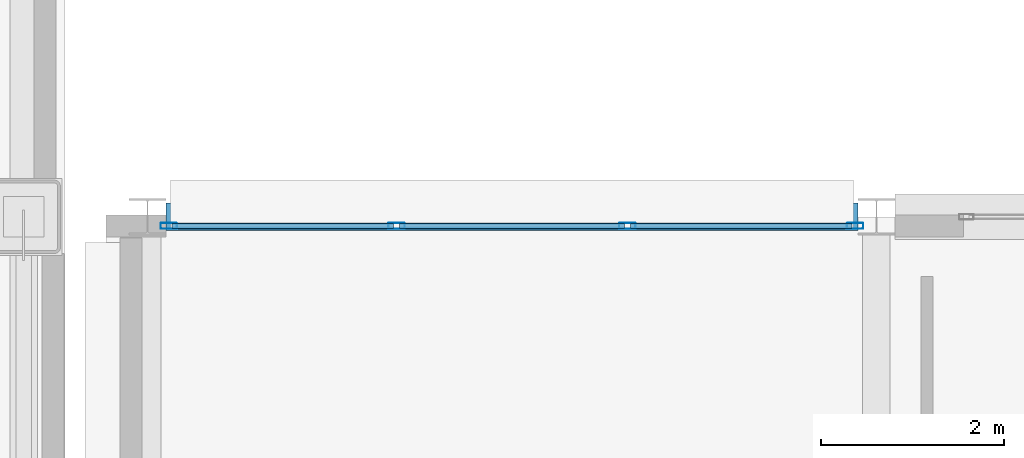
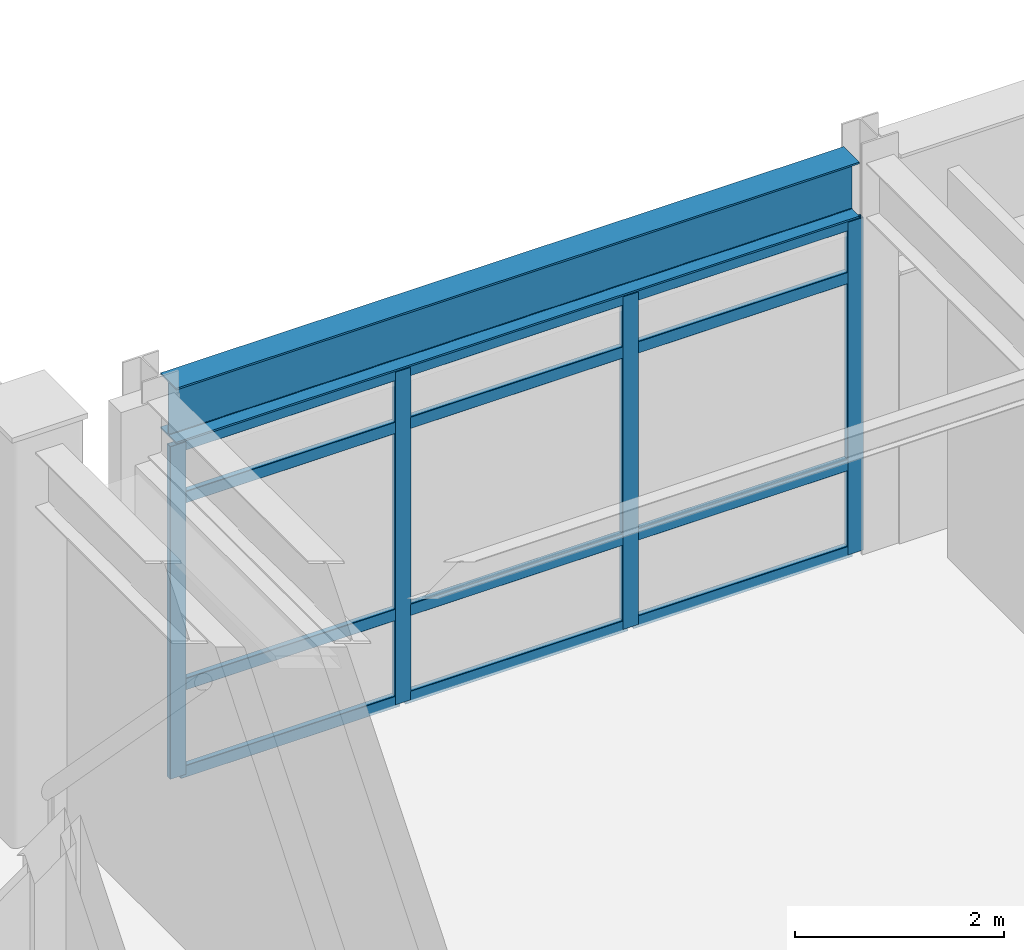
# One storey, part 18 of 93: 16 members, 1 beam, 1 element without a shape of its own.
"""IFC4 building model written with IfcOpenShell, lengths in metres."""

import ifcopenshell
import ifcopenshell.guid

model = None  # the IFC model being written
_history = None  # IfcOwnerHistory: only IFC2X3 demands one
_inside = {}  # id of a spatial element -> (the spatial element, [elements in it])
_under = {}  # id of a project, library or spatial element -> (it, [spatial elements below it])
_declared = {}  # id of a project -> (the project, [libraries it declares])
_typed = {}  # id of a type object -> (the type object, [elements of that type])
_made_of = {}  # id of a material, layer set ... -> (it, [elements and type objects made of it])


def new_model(schema):
    """Start an empty IFC model of exactly this schema.

    Asked for "IFC4X3", IfcOpenShell would pick the latest addendum, in which some entities
    have other attributes; the version numbers below select the first issue.
    IFC2X3 requires an IfcOwnerHistory on every rooted entity: one is made here for all.
    """
    global model, _history
    if schema == "IFC4X3":
        model = ifcopenshell.file(schema_version=(4, 3, 0, 0))
    else:
        model = ifcopenshell.file(schema=schema)
    _inside.clear()
    _under.clear()
    _declared.clear()
    _typed.clear()
    _made_of.clear()
    _history = None
    if model.schema == "IFC2X3":
        org = make("IfcOrganization", Name="unknown")
        user = make(
            "IfcPersonAndOrganization",
            ThePerson=make("IfcPerson", FamilyName="unknown"),
            TheOrganization=org,
        )
        app = make(
            "IfcApplication",
            ApplicationDeveloper=org,
            Version="unknown",
            ApplicationFullName="unknown",
            ApplicationIdentifier="unknown",
        )
        _history = make(
            "IfcOwnerHistory",
            OwningUser=user,
            OwningApplication=app,
            ChangeAction="ADDED",
            CreationDate=0,
        )
    return model


def make(cls, **values):
    """One entity of the class cls with the attributes given. An attribute that is None is left unset."""
    return model.create_entity(
        cls, **{name: value for name, value in values.items() if value is not None}
    )


def rooted(cls, **values):
    """An entity with a GlobalId (a new one), such as an element, a storey or a relation."""
    return make(cls, GlobalId=ifcopenshell.guid.new(), OwnerHistory=_history, **values)


def si_unit(unit_type, name, prefix=None):
    """IfcSIUnit, for example si_unit("LENGTHUNIT", "METRE", prefix="MILLI")."""
    return make("IfcSIUnit", UnitType=unit_type, Prefix=prefix, Name=name)


def assignment(units):
    """IfcUnitAssignment: the units of a project."""
    return None if units is None else make("IfcUnitAssignment", Units=units)


def point(xyz):
    """IfcCartesianPoint."""
    return None if xyz is None else make("IfcCartesianPoint", Coordinates=xyz)


def direction(xyz):
    """IfcDirection."""
    return None if xyz is None else make("IfcDirection", DirectionRatios=xyz)


def frame(location, z_axis=None, x_axis=None):
    """IfcAxis2Placement3D, a coordinate frame: its origin and axes. An axis left out is left unset."""
    return make(
        "IfcAxis2Placement3D",
        Location=point(location),
        Axis=direction(z_axis),
        RefDirection=direction(x_axis),
    )


def frame_2d(location, x_axis=None):
    """IfcAxis2Placement2D, a coordinate frame in the plane: its origin and x axis."""
    return make(
        "IfcAxis2Placement2D", Location=point(location), RefDirection=direction(x_axis)
    )


def origin():
    """The frame at (0, 0, 0) with its axes left unset."""
    return frame((0.0, 0.0, 0.0))


def origin_2d():
    """The frame at (0, 0) in the plane with its x axis left unset."""
    return frame_2d((0.0, 0.0))


def place(relative_to, where):
    """IfcLocalPlacement: puts the frame where relative to a parent placement (None: the world)."""
    return make(
        "IfcLocalPlacement", PlacementRelTo=relative_to, RelativePlacement=where
    )


def context(
    kind, dimensions, precision=None, world=None, true_north=None, identifier=None
):
    """IfcGeometricRepresentationContext, for example the 3D "Model" context."""
    return make(
        "IfcGeometricRepresentationContext",
        ContextIdentifier=identifier,
        ContextType=kind,
        CoordinateSpaceDimension=dimensions,
        Precision=precision,
        WorldCoordinateSystem=world,
        TrueNorth=true_north,
    )


def subcontext(parent, identifier, kind, view, scale=None):
    """IfcGeometricRepresentationSubContext, for example "Body" below "Model"."""
    return make(
        "IfcGeometricRepresentationSubContext",
        ContextIdentifier=identifier,
        ContextType=kind,
        ParentContext=parent,
        TargetScale=scale,
        TargetView=view,
    )


def project(units=None, contexts=None):
    """IfcProject with its units and contexts."""
    return rooted(
        "IfcProject",
        Name="project",
        RepresentationContexts=contexts,
        UnitsInContext=assignment(units),
    )


def spatial(cls, under=None, at=None, **own):
    """A site, building, storey or space (cls), placed at a placement, below another one or the project."""
    s = rooted(cls, ObjectPlacement=at, **own)
    if under is not None:
        _under.setdefault(under.id(), (under, []))[1].append(s)
    return s


def profile(cls, at=None, kind="AREA", **sizes):
    """A parametric profile (cls). Its sizes go by their IFC names, for example OverallWidth=200.0."""
    return make(cls, ProfileType=kind, Position=at, **sizes)


def hollow_rectangle(**sizes):
    """IfcRectangleHollowProfileDef."""
    return profile("IfcRectangleHollowProfileDef", **sizes)


def i_section(**sizes):
    """IfcIShapeProfileDef."""
    return profile("IfcIShapeProfileDef", **sizes)


def extrude(swept, where, along, depth):
    """IfcExtrudedAreaSolid: the profile swept, set in the frame where, extruded along a direction by depth."""
    return make(
        "IfcExtrudedAreaSolid",
        SweptArea=swept,
        Position=where,
        ExtrudedDirection=direction(along),
        Depth=depth,
    )


def shape(context_of_items, identifier, shape_type, items):
    """IfcShapeRepresentation: the items that make up one representation, for example the "Body"."""
    return make(
        "IfcShapeRepresentation",
        ContextOfItems=context_of_items,
        RepresentationIdentifier=identifier,
        RepresentationType=shape_type,
        Items=items,
    )


def material(Name=None, Category=None):
    """IfcMaterial."""
    return make("IfcMaterial", Name=Name, Category=Category)


def layer(
    of_material, thickness, ventilated=None, Name=None, Category=None, Priority=None
):
    """IfcMaterialLayer: one layer of a wall or slab, of a material (None: an air gap)."""
    return make(
        "IfcMaterialLayer",
        Material=of_material,
        LayerThickness=thickness,
        IsVentilated=ventilated,
        Name=Name,
        Category=Category,
        Priority=Priority,
    )


def layer_set(layers, Name=None):
    """IfcMaterialLayerSet."""
    return make("IfcMaterialLayerSet", MaterialLayers=layers, LayerSetName=Name)


def material_profile(
    of_material, cross_section, Name=None, Category=None, Priority=None
):
    """IfcMaterialProfile: a cross section and its material."""
    return make(
        "IfcMaterialProfile",
        Name=Name,
        Material=of_material,
        Profile=cross_section,
        Priority=Priority,
        Category=Category,
    )


def profile_set(profiles, Name=None, composite=None):
    """IfcMaterialProfileSet."""
    return make(
        "IfcMaterialProfileSet",
        Name=Name,
        MaterialProfiles=profiles,
        CompositeProfile=composite,
    )


def made_of(thing, what):
    """Note that an element or type object is made of a material, layer set ...; save() writes the relation."""
    if what is not None:
        _made_of.setdefault(what.id(), (what, []))[1].append(thing)
    return thing


def type_object(cls, material=None, **own):
    """A type object (cls), such as IfcWallType, which elements share."""
    return made_of(rooted(cls, **own), material)


def element(
    cls,
    number,
    at=None,
    inside=None,
    cuts=None,
    type_object=None,
    material=None,
    context=None,
    identifier="Body",
    shape_type=None,
    held_by="IfcProductDefinitionShape",
    body=None,
    shapes=None,
    **own,
):
    """One element of the class cls, such as IfcWall. Its Tag is "e" and its number.

    at: its placement. inside: the storey or other place that contains it. cuts: it is an
    opening in that element (IfcRelVoidsElement). A single representation is given by context,
    identifier, shape_type and body (its items); several are given by shapes. held_by: the class
    of the entity that holds the representations. save() writes the other relations.
    """
    e = rooted(cls, Tag="e%d" % number, ObjectPlacement=at, **own)
    if body is not None:
        shapes = [shape(context, identifier, shape_type, body)]
    if shapes is not None:
        e.Representation = make(held_by, Representations=shapes)
    if inside is not None:
        _inside.setdefault(inside.id(), (inside, []))[1].append(e)
    if cuts is not None:
        rooted(
            "IfcRelVoidsElement", RelatingBuildingElement=cuts, RelatedOpeningElement=e
        )
    if type_object is not None:
        _typed.setdefault(type_object.id(), (type_object, []))[1].append(e)
    return made_of(e, material)


def aggregate(whole, parts):
    """IfcRelAggregates: a whole, such as a stair, and the parts it consists of."""
    return rooted("IfcRelAggregates", RelatingObject=whole, RelatedObjects=parts)


def save(model, path):
    """Write the relations noted so far, then the file.

    IfcRelAggregates (storeys below a building ...), IfcRelContainedInSpatialStructure (elements
    in a storey), IfcRelDefinesByType, IfcRelAssociatesMaterial and IfcRelDeclares: one each for
    every whole, place, type object, material and project.
    """
    for whole, parts in _under.values():
        aggregate(whole, parts)
    for where, things in _inside.values():
        rooted(
            "IfcRelContainedInSpatialStructure",
            RelatedElements=things,
            RelatingStructure=where,
        )
    for kind, things in _typed.values():
        rooted("IfcRelDefinesByType", RelatedObjects=things, RelatingType=kind)
    for what, things in _made_of.values():
        rooted("IfcRelAssociatesMaterial", RelatedObjects=things, RelatingMaterial=what)
    for by, libraries in _declared.values():
        rooted("IfcRelDeclares", RelatingContext=by, RelatedDefinitions=libraries)
    model.write(path)


model = new_model("IFC4")

# Units and contexts
model_context = context("Model", 3, precision=1e-05, world=origin(), true_north=direction((0.0, 1.0)))
body_context = subcontext(model_context, "Body", "Model", "MODEL_VIEW")
ifc_project = project(units=[si_unit("LENGTHUNIT", "METRE"), si_unit("AREAUNIT", "SQUARE_METRE"), si_unit("VOLUMEUNIT", "CUBIC_METRE"), si_unit("PLANEANGLEUNIT", "RADIAN"), si_unit("MASSUNIT", "GRAM", prefix="KILO")], contexts=[model_context])

# Site, building, storey
site_placement = place(None, origin())
site = spatial("IfcSite", under=ifc_project, at=site_placement, CompositionType="ELEMENT")
building_placement = place(site_placement, origin())
building = spatial("IfcBuilding", under=site, at=building_placement, Name="Kazehara Bluff Congress Hotel", CompositionType="ELEMENT")
storey_placement = place(building_placement, frame((0.0, 0.0, 15.0)))
storey = spatial("IfcBuildingStorey", under=building, at=storey_placement, Name="L03", CompositionType="ELEMENT", Elevation=15.0)

# Curtain wall, members
ifc_material_1 = material(Name="Anodised aluminium", Category="aluminium")
ifc_layer = layer(ifc_material_1, 0.159912109375)
ifc_layer_set = layer_set([ifc_layer], Name="Anodised aluminium")
curtain_wall_type = type_object("IfcCurtainWallType", Name="TP-CW-21", PredefinedType="NOTDEFINED", material=ifc_layer_set)
curtain_wall_placement = place(storey_placement, origin())
curtain_wall = element("IfcCurtainWall", 1, at=curtain_wall_placement, inside=storey, type_object=curtain_wall_type, Name="L03 curtain wall CW-21 CW-ENC-V4-L03-6368-5635", PredefinedType="NOTDEFINED")
ifc_material_2 = material(Name="Anodised aluminium", Category="aluminium")
ifc_material_profile_1 = material_profile(ifc_material_2, hollow_rectangle(XDim=0.06494140625, YDim=0.179931640625, WallThickness=0.00390625, InnerFilletRadius=0.00390625, OuterFilletRadius=0.008056640625, at=origin_2d()))
ifc_profile_set_1 = profile_set([ifc_material_profile_1], Name="Anodised aluminium")
member_type_1 = type_object("IfcMemberType", Name="TP-CWM-02", PredefinedType="MULLION", material=ifc_profile_set_1)
member_1_placement = place(storey_placement, frame((59.9326171875, 56.35009765625, 0.0), z_axis=(0.0, 0.0, 1.0), x_axis=(0.0, 1.0, 0.0)))
member_1 = element("IfcMember", 2, at=member_1_placement, type_object=member_type_1, Name="CW-21 mullion 1", PredefinedType="MULLION", context=body_context, shape_type="SweptSolid", body=[
    extrude(hollow_rectangle(XDim=0.06494140625, YDim=0.179931640625, WallThickness=0.00390625, InnerFilletRadius=0.00390625, OuterFilletRadius=0.008056640625, at=origin_2d()), origin(), (0.0, 0.0, 1.0), 3.885009765625),
])
member_2_placement = place(storey_placement, frame((62.416748046875, 56.35009765625, 0.0), z_axis=(0.0, 0.0, 1.0), x_axis=(0.0, 1.0, 0.0)))
member_2 = element("IfcMember", 3, at=member_2_placement, type_object=member_type_1, Name="CW-21 mullion 2", PredefinedType="MULLION", context=body_context, shape_type="SweptSolid", body=[
    extrude(hollow_rectangle(XDim=0.06494140625, YDim=0.179931640625, WallThickness=0.00390625, InnerFilletRadius=0.00390625, OuterFilletRadius=0.008056640625, at=origin_2d()), origin(), (0.0, 0.0, 1.0), 3.885009765625),
])
member_3_placement = place(storey_placement, frame((64.933349609375, 56.35009765625, 0.0), z_axis=(0.0, 0.0, 1.0), x_axis=(0.0, 1.0, 0.0)))
member_3 = element("IfcMember", 4, at=member_3_placement, type_object=member_type_1, Name="CW-21 mullion 3", PredefinedType="MULLION", context=body_context, shape_type="SweptSolid", body=[
    extrude(hollow_rectangle(XDim=0.06494140625, YDim=0.179931640625, WallThickness=0.00390625, InnerFilletRadius=0.00390625, OuterFilletRadius=0.008056640625, at=origin_2d()), origin(), (0.0, 0.0, 1.0), 3.885009765625),
])
member_4_placement = place(storey_placement, frame((67.41748046875, 56.35009765625, 0.0), z_axis=(0.0, 0.0, 1.0), x_axis=(0.0, 1.0, 0.0)))
member_4 = element("IfcMember", 5, at=member_4_placement, type_object=member_type_1, Name="CW-21 mullion 4", PredefinedType="MULLION", context=body_context, shape_type="SweptSolid", body=[
    extrude(hollow_rectangle(XDim=0.06494140625, YDim=0.179931640625, WallThickness=0.00390625, InnerFilletRadius=0.00390625, OuterFilletRadius=0.008056640625, at=origin_2d()), origin(), (0.0, 0.0, 1.0), 3.885009765625),
])
ifc_material_3 = material(Name="Anodised aluminium", Category="aluminium")
ifc_material_profile_2 = material_profile(ifc_material_3, hollow_rectangle(XDim=0.06494140625, YDim=0.139892578125, WallThickness=0.00390625, InnerFilletRadius=0.00390625, OuterFilletRadius=0.008056640625, at=origin_2d()))
ifc_profile_set_2 = profile_set([ifc_material_profile_2], Name="Anodised aluminium")
member_type_2 = type_object("IfcMemberType", Name="TP-CWT-02", PredefinedType="USERDEFINED", material=ifc_profile_set_2)
member_5_placement = place(storey_placement, frame((59.965087890625, 56.35009765625, 0.032470703125), z_axis=(1.0, 0.0, 0.0), x_axis=(0.0, 1.0, 0.0)))
member_5 = element("IfcMember", 6, at=member_5_placement, type_object=member_type_2, Name="CW-21 transom 1.1", ObjectType="TRANSOM", PredefinedType="USERDEFINED", context=body_context, shape_type="SweptSolid", body=[
    extrude(hollow_rectangle(XDim=0.06494140625, YDim=0.139892578125, WallThickness=0.00390625, InnerFilletRadius=0.00390625, OuterFilletRadius=0.008056640625, at=origin_2d()), origin(), (0.0, 0.0, 1.0), 2.419189453125),
])
member_6_placement = place(storey_placement, frame((59.965087890625, 56.35009765625, 1.050048828125), z_axis=(1.0, 0.0, 0.0), x_axis=(0.0, 1.0, 0.0)))
member_6 = element("IfcMember", 7, at=member_6_placement, type_object=member_type_2, Name="CW-21 transom 1.2", ObjectType="TRANSOM", PredefinedType="USERDEFINED", context=body_context, shape_type="SweptSolid", body=[
    extrude(hollow_rectangle(XDim=0.06494140625, YDim=0.139892578125, WallThickness=0.00390625, InnerFilletRadius=0.00390625, OuterFilletRadius=0.008056640625, at=origin_2d()), origin(), (0.0, 0.0, 1.0), 2.419189453125),
])
member_7_placement = place(storey_placement, frame((59.965087890625, 56.35009765625, 3.235107421875), z_axis=(1.0, 0.0, 0.0), x_axis=(0.0, 1.0, 0.0)))
member_7 = element("IfcMember", 8, at=member_7_placement, type_object=member_type_2, Name="CW-21 transom 1.3", ObjectType="TRANSOM", PredefinedType="USERDEFINED", context=body_context, shape_type="SweptSolid", body=[
    extrude(hollow_rectangle(XDim=0.06494140625, YDim=0.139892578125, WallThickness=0.00390625, InnerFilletRadius=0.00390625, OuterFilletRadius=0.008056640625, at=origin_2d()), origin(), (0.0, 0.0, 1.0), 2.419189453125),
])
member_8_placement = place(storey_placement, frame((59.965087890625, 56.35009765625, 3.8525390625), z_axis=(1.0, 0.0, 0.0), x_axis=(0.0, 1.0, 0.0)))
member_8 = element("IfcMember", 9, at=member_8_placement, type_object=member_type_2, Name="CW-21 transom 1.4", ObjectType="TRANSOM", PredefinedType="USERDEFINED", context=body_context, shape_type="SweptSolid", body=[
    extrude(hollow_rectangle(XDim=0.06494140625, YDim=0.139892578125, WallThickness=0.00390625, InnerFilletRadius=0.00390625, OuterFilletRadius=0.008056640625, at=origin_2d()), origin(), (0.0, 0.0, 1.0), 2.419189453125),
])
member_9_placement = place(storey_placement, frame((62.44921875, 56.35009765625, 0.032470703125), z_axis=(1.0, 0.0, 0.0), x_axis=(0.0, 1.0, 0.0)))
member_9 = element("IfcMember", 10, at=member_9_placement, type_object=member_type_2, Name="CW-21 transom 2.1", ObjectType="TRANSOM", PredefinedType="USERDEFINED", context=body_context, shape_type="SweptSolid", body=[
    extrude(hollow_rectangle(XDim=0.06494140625, YDim=0.139892578125, WallThickness=0.00390625, InnerFilletRadius=0.00390625, OuterFilletRadius=0.008056640625, at=origin_2d()), origin(), (0.0, 0.0, 1.0), 2.45166015625),
])
member_10_placement = place(storey_placement, frame((62.44921875, 56.35009765625, 1.050048828125), z_axis=(1.0, 0.0, 0.0), x_axis=(0.0, 1.0, 0.0)))
member_10 = element("IfcMember", 11, at=member_10_placement, type_object=member_type_2, Name="CW-21 transom 2.2", ObjectType="TRANSOM", PredefinedType="USERDEFINED", context=body_context, shape_type="SweptSolid", body=[
    extrude(hollow_rectangle(XDim=0.06494140625, YDim=0.139892578125, WallThickness=0.00390625, InnerFilletRadius=0.00390625, OuterFilletRadius=0.008056640625, at=origin_2d()), origin(), (0.0, 0.0, 1.0), 2.45166015625),
])
member_11_placement = place(storey_placement, frame((62.44921875, 56.35009765625, 3.235107421875), z_axis=(1.0, 0.0, 0.0), x_axis=(0.0, 1.0, 0.0)))
member_11 = element("IfcMember", 12, at=member_11_placement, type_object=member_type_2, Name="CW-21 transom 2.3", ObjectType="TRANSOM", PredefinedType="USERDEFINED", context=body_context, shape_type="SweptSolid", body=[
    extrude(hollow_rectangle(XDim=0.06494140625, YDim=0.139892578125, WallThickness=0.00390625, InnerFilletRadius=0.00390625, OuterFilletRadius=0.008056640625, at=origin_2d()), origin(), (0.0, 0.0, 1.0), 2.45166015625),
])
member_12_placement = place(storey_placement, frame((62.44921875, 56.35009765625, 3.8525390625), z_axis=(1.0, 0.0, 0.0), x_axis=(0.0, 1.0, 0.0)))
member_12 = element("IfcMember", 13, at=member_12_placement, type_object=member_type_2, Name="CW-21 transom 2.4", ObjectType="TRANSOM", PredefinedType="USERDEFINED", context=body_context, shape_type="SweptSolid", body=[
    extrude(hollow_rectangle(XDim=0.06494140625, YDim=0.139892578125, WallThickness=0.00390625, InnerFilletRadius=0.00390625, OuterFilletRadius=0.008056640625, at=origin_2d()), origin(), (0.0, 0.0, 1.0), 2.45166015625),
])
member_13_placement = place(storey_placement, frame((64.9658203125, 56.35009765625, 0.032470703125), z_axis=(1.0, 0.0, 0.0), x_axis=(0.0, 1.0, 0.0)))
member_13 = element("IfcMember", 14, at=member_13_placement, type_object=member_type_2, Name="CW-21 transom 3.1", ObjectType="TRANSOM", PredefinedType="USERDEFINED", context=body_context, shape_type="SweptSolid", body=[
    extrude(hollow_rectangle(XDim=0.06494140625, YDim=0.139892578125, WallThickness=0.00390625, InnerFilletRadius=0.00390625, OuterFilletRadius=0.008056640625, at=origin_2d()), origin(), (0.0, 0.0, 1.0), 2.419189453125),
])
member_14_placement = place(storey_placement, frame((64.9658203125, 56.35009765625, 1.050048828125), z_axis=(1.0, 0.0, 0.0), x_axis=(0.0, 1.0, 0.0)))
member_14 = element("IfcMember", 15, at=member_14_placement, type_object=member_type_2, Name="CW-21 transom 3.2", ObjectType="TRANSOM", PredefinedType="USERDEFINED", context=body_context, shape_type="SweptSolid", body=[
    extrude(hollow_rectangle(XDim=0.06494140625, YDim=0.139892578125, WallThickness=0.00390625, InnerFilletRadius=0.00390625, OuterFilletRadius=0.008056640625, at=origin_2d()), origin(), (0.0, 0.0, 1.0), 2.419189453125),
])
member_15_placement = place(storey_placement, frame((64.9658203125, 56.35009765625, 3.235107421875), z_axis=(1.0, 0.0, 0.0), x_axis=(0.0, 1.0, 0.0)))
member_15 = element("IfcMember", 16, at=member_15_placement, type_object=member_type_2, Name="CW-21 transom 3.3", ObjectType="TRANSOM", PredefinedType="USERDEFINED", context=body_context, shape_type="SweptSolid", body=[
    extrude(hollow_rectangle(XDim=0.06494140625, YDim=0.139892578125, WallThickness=0.00390625, InnerFilletRadius=0.00390625, OuterFilletRadius=0.008056640625, at=origin_2d()), origin(), (0.0, 0.0, 1.0), 2.419189453125),
])
member_16_placement = place(storey_placement, frame((64.9658203125, 56.35009765625, 3.8525390625), z_axis=(1.0, 0.0, 0.0), x_axis=(0.0, 1.0, 0.0)))
member_16 = element("IfcMember", 17, at=member_16_placement, type_object=member_type_2, Name="CW-21 transom 3.4", ObjectType="TRANSOM", PredefinedType="USERDEFINED", context=body_context, shape_type="SweptSolid", body=[
    extrude(hollow_rectangle(XDim=0.06494140625, YDim=0.139892578125, WallThickness=0.00390625, InnerFilletRadius=0.00390625, OuterFilletRadius=0.008056640625, at=origin_2d()), origin(), (0.0, 0.0, 1.0), 2.419189453125),
])
aggregate(curtain_wall, [member_1, member_2, member_3, member_4, member_5, member_6, member_7, member_8, member_9, member_10, member_11, member_12, member_13, member_14, member_15, member_16])

# Beam
ifc_material_4 = material(Name="Steel SN490B", Category="steel")
ifc_material_profile_3 = material_profile(ifc_material_4, i_section(OverallWidth=0.300048828125, OverallDepth=0.64990234375, WebThickness=0.011962890625, FlangeThickness=0.02001953125, FilletRadius=0.012939453125, at=origin_2d()))
ifc_profile_set_3 = profile_set([ifc_material_profile_3], Name="Steel SN490B")
beam_type = type_object("IfcBeamType", Name="TP-G-03", PredefinedType="BEAM", material=ifc_profile_set_3)
beam_placement = place(storey_placement, frame((59.89990234375, 56.449951171875, 4.235107421875), z_axis=(1.0, 0.0, 0.0), x_axis=(0.0, 1.0, 0.0)))
element("IfcBeam", 18, at=beam_placement, inside=storey, type_object=beam_type, Name="L03 girder G-03 98", PredefinedType="BEAM", context=body_context, shape_type="SweptSolid", body=[
    extrude(i_section(OverallWidth=0.300048828125, OverallDepth=0.64990234375, WebThickness=0.011962890625, FlangeThickness=0.02001953125, FilletRadius=0.012939453125, at=origin_2d()), origin(), (0.0, 0.0, 1.0), 7.550048828125),
])

save(model, "model.ifc")
